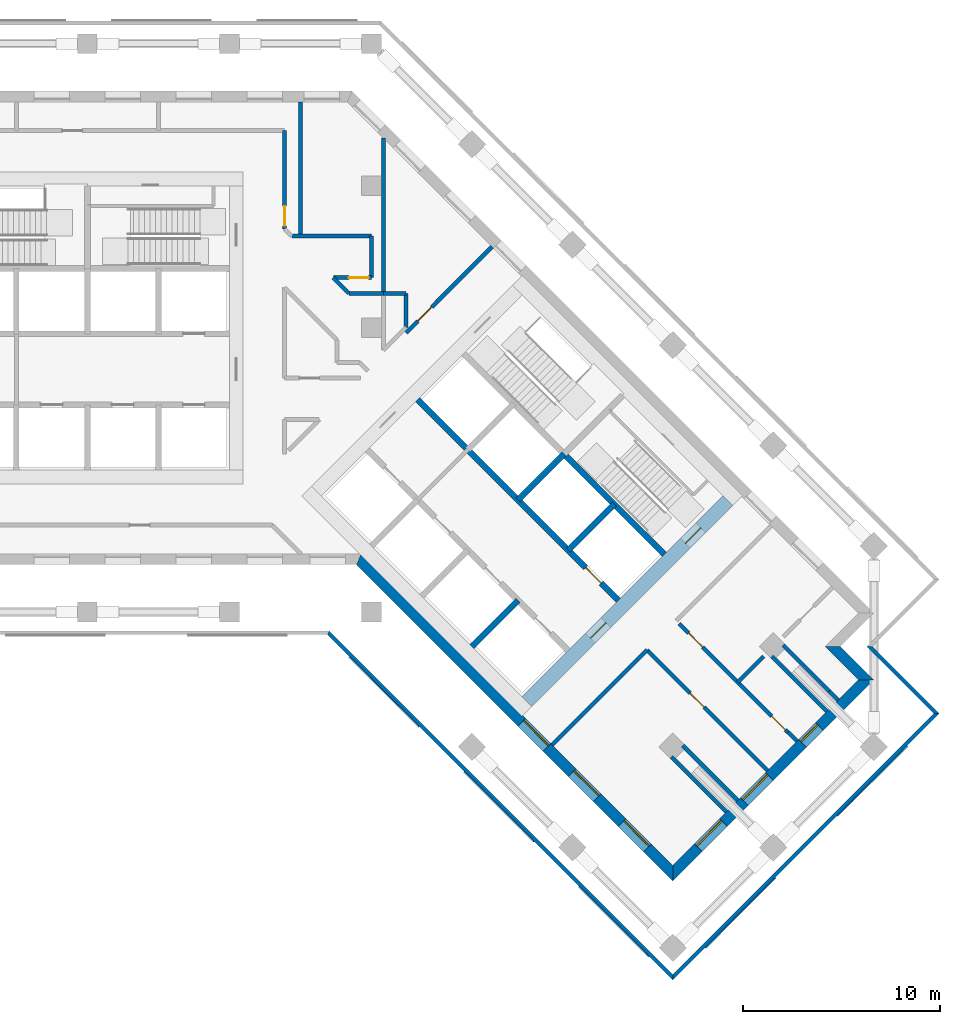
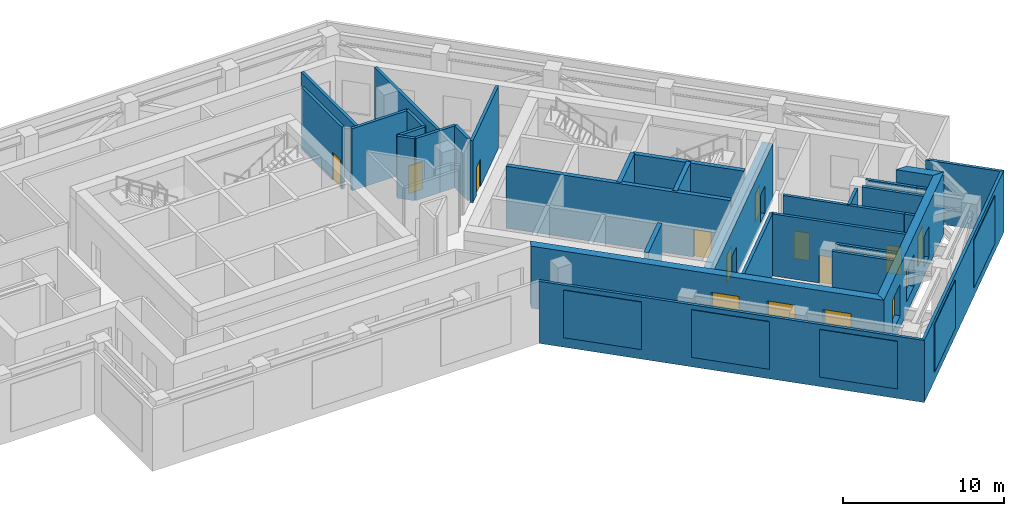
# One storey, part 6 of 9: 33 walls, 9 doors, 6 windows, 5 plates, 15 openings.
"""IFC4 building model written with IfcOpenShell, lengths in metres."""

from ifc_helpers import new_model, si_unit, direction, frame, frame_2d, origin, place, context, subcontext, project, spatial, polyline, rectangle, outline, extrude, material, layer, layer_set, type_object, element, fill, aggregate, save


model = new_model("IFC4")

# Units and contexts
model_context = context("Model", 3, precision=1e-05, world=origin(), true_north=direction((0.0, 1.0)))
body_context = subcontext(model_context, "Body", "Model", "MODEL_VIEW")
ifc_project = project(units=[si_unit("LENGTHUNIT", "METRE"), si_unit("AREAUNIT", "SQUARE_METRE"), si_unit("VOLUMEUNIT", "CUBIC_METRE"), si_unit("PLANEANGLEUNIT", "RADIAN"), si_unit("MASSUNIT", "GRAM", prefix="KILO")], contexts=[model_context])

# Plate
ifc_material_1 = material(Name="Aluminium louvre", Category="aluminium")
ifc_layer_1 = layer(ifc_material_1, 0.05)
ifc_layer_set_1 = layer_set([ifc_layer_1], Name="Belt louvre panel 5000x3600")
plate_type = type_object("IfcPlateType", Name="Belt louvre panel 5000x3600", PredefinedType="SHEET", material=ifc_layer_set_1)
site_placement = place(None, origin())
building_placement = place(site_placement, origin())
storey_placement = place(building_placement, frame((0.0, 0.0, 126.2)))
plate_1_placement = place(storey_placement, frame((78.0535, 40.9025, 0.75), z_axis=(-0.7071167811, -0.7070967812, 0.0), x_axis=(0.7070967812, -0.7071167811, 0.0)))
plate_1 = element("IfcPlate", 1, at=plate_1_placement, type_object=plate_type, Name="Belt louvre panel L34 75.1", PredefinedType="SHEET", context=body_context, shape_type="SweptSolid", body=[
    extrude(outline(polyline([(0.0, 0.0), (5.0, 0.0), (5.0, 3.6), (0.0, 3.6), (0.0, 0.0)])), origin(), (0.0, 0.0, -1.0), 0.05),
])

plate_2_placement = place(storey_placement, frame((83.872, 35.084, 0.75), z_axis=(-0.7071167811, -0.7070967812, 0.0), x_axis=(0.7070967812, -0.7071167811, 0.0)))
plate_2 = element("IfcPlate", 2, at=plate_2_placement, type_object=plate_type, Name="Belt louvre panel L34 76.2", PredefinedType="SHEET", context=body_context, shape_type="SweptSolid", body=[
    extrude(outline(polyline([(0.0, 0.0), (5.0, 0.0), (5.0, 3.6), (0.0, 3.6), (0.0, 0.0)])), origin(), (0.0, 0.0, -1.0), 0.05),
])

plate_3_placement = place(storey_placement, frame((89.6904, 29.2655, 0.75), z_axis=(-0.7071067812, -0.7071067812, 0.0), x_axis=(0.7071067812, -0.7071067812, 0.0)))
plate_3 = element("IfcPlate", 3, at=plate_3_placement, type_object=plate_type, Name="Belt louvre panel L34 77.3", PredefinedType="SHEET", context=body_context, shape_type="SweptSolid", body=[
    extrude(outline(polyline([(0.0, 0.0), (5.0, 0.0), (5.0, 3.6), (0.0, 3.6), (0.0, 0.0)])), origin(), (0.0, 0.0, -1.0), 0.05),
])

plate_4_placement = place(storey_placement, frame((96.1529, 26.1618, 0.75), z_axis=(0.7071067812, -0.7071067812, 0.0), x_axis=(0.7071067812, 0.7071067812, 0.0)))
plate_4 = element("IfcPlate", 4, at=plate_4_placement, type_object=plate_type, Name="Belt louvre panel L34 82.1", PredefinedType="SHEET", context=body_context, shape_type="SweptSolid", body=[
    extrude(outline(polyline([(0.0, 0.0), (5.0, 0.0), (5.0, 3.6), (0.0, 3.6), (0.0, 0.0)])), origin(), (0.0, 0.0, -1.0), 0.05),
])

plate_5_placement = place(storey_placement, frame((102.835, 32.844, 0.75), z_axis=(0.7070967812, -0.7071167811, 0.0), x_axis=(0.7071167811, 0.7070967812, 0.0)))
plate_5 = element("IfcPlate", 5, at=plate_5_placement, type_object=plate_type, Name="Belt louvre panel L34 83.2", PredefinedType="SHEET", context=body_context, shape_type="SweptSolid", body=[
    extrude(outline(polyline([(0.0, 0.0), (5.0, 0.0), (5.0, 3.6), (0.0, 3.6), (0.0, 0.0)])), origin(), (0.0, 0.0, -1.0), 0.05),
])

# Site, building, storey
site = spatial("IfcSite", under=ifc_project, at=site_placement, CompositionType="ELEMENT")
building = spatial("IfcBuilding", under=site, at=building_placement, Name="Windrow Commons", CompositionType="ELEMENT")
storey = spatial("IfcBuildingStorey", under=building, at=storey_placement, Name="L34", CompositionType="ELEMENT", Elevation=126.2)

# Wall
ifc_material_2 = material(Name="Concrete C40/50 precast screen panel", Category="concrete")
ifc_layer_2 = layer(ifc_material_2, 0.2)
ifc_layer_set_2 = layer_set([ifc_layer_2], Name="Belt screen wall 200")
wall_type_1 = type_object("IfcWallType", Name="Belt screen wall 200", PredefinedType="SOLIDWALL", material=ifc_layer_set_2)
wall_1_placement = place(storey_placement, frame((107.8378, 38.0589, 0.0), z_axis=(0.0, 0.0, 1.0), x_axis=(-0.7071067812, 0.7071067812, 0.0)))
element("IfcWall", 6, at=wall_1_placement, inside=storey, type_object=wall_type_1, Name="Belt screen wall L34 2", PredefinedType="SOLIDWALL", context=body_context, shape_type="SweptSolid", body=[
    extrude(outline(polyline([(-0.1, -0.1), (4.7, -0.1), (4.9, 0.1), (0.1, 0.1), (-0.1, -0.1)])), origin(), (0.0, 0.0, 1.0), 4.7),
])

wall_2_placement = place(storey_placement, frame((77.0181, 42.15, 0.0), z_axis=(0.0, 0.0, 1.0), x_axis=(0.7071067812, -0.7071067812, 0.0)))
wall_2 = element("IfcWall", 7, at=wall_2_placement, inside=storey, type_object=wall_type_1, Name="Belt screen wall L34 75", PredefinedType="SOLIDWALL", context=body_context, shape_type="SweptSolid", body=[
    extrude(outline(polyline([(0.0414, -0.1), (24.7857, -0.1), (24.5857, 0.1), (-0.0414, 0.1), (0.0414, -0.1)])), origin(), (0.0, 0.0, 1.0), 4.7),
])

aggregate(wall_2, [plate_1, plate_2, plate_3])

wall_3_placement = place(storey_placement, frame((94.4735, 24.6946, 0.0), z_axis=(0.0, 0.0, 1.0), x_axis=(0.7071067812, 0.7071067812, 0.0)))
wall_3 = element("IfcWall", 8, at=wall_3_placement, inside=storey, type_object=wall_type_1, Name="Belt screen wall L34 82", PredefinedType="SOLIDWALL", context=body_context, shape_type="SweptSolid", body=[
    extrude(outline(polyline([(-0.1, -0.1), (19.0, -0.1), (18.8, 0.1), (0.1, 0.1), (-0.1, -0.1)])), origin(), (0.0, 0.0, 1.0), 4.7),
])

aggregate(wall_3, [plate_4, plate_5])

ifc_material_3 = material(Name="Brick masonry, red clay brick", Category="masonry")
ifc_layer_3 = layer(ifc_material_3, 0.55)
ifc_layer_set_3 = layer_set([ifc_layer_3], Name="Brick facade wall 550")
wall_type_2 = type_object("IfcWallType", Name="Brick facade wall 550", PredefinedType="SOLIDWALL", material=ifc_layer_set_3)
wall_4_placement = place(storey_placement, frame((104.2669, 39.7559, 0.0), z_axis=(0.0, 0.0, 1.0), x_axis=(-0.7070859475, 0.7071276143, 0.0)))
element("IfcWall", 9, at=wall_4_placement, inside=storey, type_object=wall_type_2, Name="Brick facade wall L34 1", PredefinedType="SOLIDWALL", context=body_context, shape_type="SweptSolid", body=[
    extrude(outline(polyline([(-0.275, -0.275), (2.125, -0.275), (2.675, 0.275), (0.275, 0.275), (-0.275, -0.275)])), origin(), (0.0, 0.0, 1.0), 4.7),
])

# Wall, openings, windows
wall_5_placement = place(storey_placement, frame((78.561, 45.875, 0.0), z_axis=(0.0, 0.0, 1.0), x_axis=(0.7071067812, -0.7071067812, 0.0)))
wall_5 = element("IfcWall", 10, at=wall_5_placement, inside=storey, type_object=wall_type_2, Name="Brick facade wall L34 13", PredefinedType="SOLIDWALL", context=body_context, shape_type="SweptSolid", body=[
    extrude(outline(polyline([(0.1139, -0.275), (22.7787, -0.275), (22.2287, 0.275), (-0.1139, 0.275), (0.1139, -0.275)])), origin(), (0.0, 0.0, 1.0), 4.7),
])
opening_1_placement = place(wall_5_placement, frame((11.6787, 0.0, 0.9)))
opening_1 = element("IfcOpeningElement", 11, at=opening_1_placement, cuts=wall_5, Name="Opening LV1", PredefinedType="OPENING", context=body_context, shape_type="SweptSolid", body=[
    extrude(rectangle(XDim=1.8, YDim=2.4, at=frame_2d((0.9, 1.2))), frame((0.0, 0.285, 0.0), z_axis=(0.0, -1.0, 0.0), x_axis=(1.0, 0.0, 0.0)), (0.0, 0.0, 1.0), 0.57),
])
opening_2_placement = place(wall_5_placement, frame((15.2787, 0.0, 0.9)))
opening_2 = element("IfcOpeningElement", 12, at=opening_2_placement, cuts=wall_5, Name="Opening LV1", PredefinedType="OPENING", context=body_context, shape_type="SweptSolid", body=[
    extrude(rectangle(XDim=1.8, YDim=2.4, at=frame_2d((0.9, 1.2))), frame((0.0, 0.285, 0.0), z_axis=(0.0, -1.0, 0.0), x_axis=(1.0, 0.0, 0.0)), (0.0, 0.0, 1.0), 0.57),
])
opening_3_placement = place(wall_5_placement, frame((18.8787, 0.0, 0.9)))
opening_3 = element("IfcOpeningElement", 13, at=opening_3_placement, cuts=wall_5, Name="Opening LV1", PredefinedType="OPENING", context=body_context, shape_type="SweptSolid", body=[
    extrude(rectangle(XDim=1.8, YDim=2.4, at=frame_2d((0.9, 1.2))), frame((0.0, 0.285, 0.0), z_axis=(0.0, -1.0, 0.0), x_axis=(1.0, 0.0, 0.0)), (0.0, 0.0, 1.0), 0.57),
])
ifc_material_4 = material(Name="Aluminium 6063-T6 anodised louvre", Category="aluminium")
window_type_1 = type_object("IfcWindowType", Name="Plant louvre 1800x2400", PartitioningType="SINGLE_PANEL", PredefinedType="WINDOW", material=ifc_material_4)
window_1_placement = place(opening_1_placement, origin())
window_1 = element("IfcWindow", 14, at=window_1_placement, inside=storey, type_object=window_type_1, Name="Louvre L34 13.1", OverallHeight=2.4, OverallWidth=1.8, PartitioningType="SINGLE_PANEL", PredefinedType="WINDOW", context=body_context, shape_type="SweptSolid", body=[
    extrude(rectangle(XDim=1.8, YDim=2.4, at=frame_2d((0.9, 1.2))), frame((0.0, 0.155, 0.0), z_axis=(0.0, -1.0, 0.0), x_axis=(1.0, 0.0, 0.0)), (0.0, 0.0, 1.0), 0.06),
])
fill(opening_1, window_1)
window_2_placement = place(opening_2_placement, origin())
window_2 = element("IfcWindow", 15, at=window_2_placement, inside=storey, type_object=window_type_1, Name="Louvre L34 13.2", OverallHeight=2.4, OverallWidth=1.8, PartitioningType="SINGLE_PANEL", PredefinedType="WINDOW", context=body_context, shape_type="SweptSolid", body=[
    extrude(rectangle(XDim=1.8, YDim=2.4, at=frame_2d((0.9, 1.2))), frame((0.0, 0.155, 0.0), z_axis=(0.0, -1.0, 0.0), x_axis=(1.0, 0.0, 0.0)), (0.0, 0.0, 1.0), 0.06),
])
fill(opening_2, window_2)
window_3_placement = place(opening_3_placement, origin())
window_3 = element("IfcWindow", 16, at=window_3_placement, inside=storey, type_object=window_type_1, Name="Louvre L34 13.3", OverallHeight=2.4, OverallWidth=1.8, PartitioningType="SINGLE_PANEL", PredefinedType="WINDOW", context=body_context, shape_type="SweptSolid", body=[
    extrude(rectangle(XDim=1.8, YDim=2.4, at=frame_2d((0.9, 1.2))), frame((0.0, 0.155, 0.0), z_axis=(0.0, -1.0, 0.0), x_axis=(1.0, 0.0, 0.0)), (0.0, 0.0, 1.0), 0.06),
])
fill(opening_3, window_3)

wall_6_placement = place(storey_placement, frame((94.4735, 29.9625, 0.0), z_axis=(0.0, 0.0, 1.0), x_axis=(0.7071067812, 0.7071067812, 0.0)))
wall_6 = element("IfcWall", 17, at=wall_6_placement, inside=storey, type_object=wall_type_2, Name="Brick facade wall L34 14", PredefinedType="SOLIDWALL", context=body_context, shape_type="SweptSolid", body=[
    extrude(outline(polyline([(-0.275, -0.275), (14.1249, -0.275), (13.575, 0.275), (0.275, 0.275), (-0.275, -0.275)])), origin(), (0.0, 0.0, 1.0), 4.7),
])
opening_4_placement = place(wall_6_placement, frame((1.825, 0.0, 0.9)))
opening_4 = element("IfcOpeningElement", 18, at=opening_4_placement, cuts=wall_6, Name="Opening LV1", PredefinedType="OPENING", context=body_context, shape_type="SweptSolid", body=[
    extrude(rectangle(XDim=1.8, YDim=2.4, at=frame_2d((0.9, 1.2))), frame((0.0, 0.285, 0.0), z_axis=(0.0, -1.0, 0.0), x_axis=(1.0, 0.0, 0.0)), (0.0, 0.0, 1.0), 0.57),
])
opening_5_placement = place(wall_6_placement, frame((5.125, 0.0, 0.9)))
opening_5 = element("IfcOpeningElement", 19, at=opening_5_placement, cuts=wall_6, Name="Opening LV1", PredefinedType="OPENING", context=body_context, shape_type="SweptSolid", body=[
    extrude(rectangle(XDim=1.8, YDim=2.4, at=frame_2d((0.9, 1.2))), frame((0.0, 0.285, 0.0), z_axis=(0.0, -1.0, 0.0), x_axis=(1.0, 0.0, 0.0)), (0.0, 0.0, 1.0), 0.57),
])
opening_6_placement = place(wall_6_placement, frame((9.3016, 0.0, 0.7)))
opening_6 = element("IfcOpeningElement", 20, at=opening_6_placement, cuts=wall_6, Name="Opening W7C", PredefinedType="OPENING", context=body_context, shape_type="SweptSolid", body=[
    extrude(rectangle(XDim=1.2, YDim=2.3, at=frame_2d((0.6, 1.15))), frame((0.0, 0.285, 0.0), z_axis=(0.0, -1.0, 0.0), x_axis=(1.0, 0.0, 0.0)), (0.0, 0.0, 1.0), 0.57),
])
window_4_placement = place(opening_4_placement, origin())
window_4 = element("IfcWindow", 21, at=window_4_placement, inside=storey, type_object=window_type_1, Name="Louvre L34 14.1", OverallHeight=2.4, OverallWidth=1.8, PartitioningType="SINGLE_PANEL", PredefinedType="WINDOW", context=body_context, shape_type="SweptSolid", body=[
    extrude(rectangle(XDim=1.8, YDim=2.4, at=frame_2d((0.9, 1.2))), frame((0.0, 0.155, 0.0), z_axis=(0.0, -1.0, 0.0), x_axis=(1.0, 0.0, 0.0)), (0.0, 0.0, 1.0), 0.06),
])
fill(opening_4, window_4)
window_5_placement = place(opening_5_placement, origin())
window_5 = element("IfcWindow", 22, at=window_5_placement, inside=storey, type_object=window_type_1, Name="Louvre L34 14.2", OverallHeight=2.4, OverallWidth=1.8, PartitioningType="SINGLE_PANEL", PredefinedType="WINDOW", context=body_context, shape_type="SweptSolid", body=[
    extrude(rectangle(XDim=1.8, YDim=2.4, at=frame_2d((0.9, 1.2))), frame((0.0, 0.155, 0.0), z_axis=(0.0, -1.0, 0.0), x_axis=(1.0, 0.0, 0.0)), (0.0, 0.0, 1.0), 0.06),
])
fill(opening_5, window_5)
ifc_material_5 = material(Name="Clear float glass in anodised aluminium frame", Category="aluminium")
window_type_2 = type_object("IfcWindowType", Name="Window W7 notch 1200x2300", PartitioningType="SINGLE_PANEL", PredefinedType="WINDOW", material=ifc_material_5)
window_6_placement = place(opening_6_placement, origin())
window_6 = element("IfcWindow", 23, at=window_6_placement, inside=storey, type_object=window_type_2, Name="Louvre L34 14.3A", OverallHeight=2.3, OverallWidth=1.2, PartitioningType="SINGLE_PANEL", PredefinedType="WINDOW", context=body_context, shape_type="SweptSolid", body=[
    extrude(rectangle(XDim=1.2, YDim=2.3, at=frame_2d((0.6, 1.15))), frame((0.0, 0.155, 0.0), z_axis=(0.0, -1.0, 0.0), x_axis=(1.0, 0.0, 0.0)), (0.0, 0.0, 1.0), 0.06),
])
fill(opening_6, window_6)

# Wall, opening, door
ifc_material_6 = material(Name="Blockwork partition", Category="masonry")
ifc_layer_4 = layer(ifc_material_6, 0.2)
ifc_layer_set_4 = layer_set([ifc_layer_4], Name="IW-CORRIDOR-200")
wall_type_3 = type_object("IfcWallType", Name="IW-CORRIDOR-200", PredefinedType="PARTITIONING", material=ifc_layer_set_4)
wall_7_placement = place(storey_placement, frame((93.1626, 41.2726, 0.0), z_axis=(0.0, 0.0, 1.0), x_axis=(0.7071010004, -0.7071125619, 0.0)))
wall_7 = element("IfcWall", 24, at=wall_7_placement, inside=storey, type_object=wall_type_3, Name="W-L34-W003", PredefinedType="PARTITIONING", context=body_context, shape_type="SweptSolid", body=[
    extrude(rectangle(XDim=8.6494, YDim=0.2, at=frame_2d((4.3247, 0.0))), origin(), (0.0, 0.0, 1.0), 4.7),
])
opening_7_placement = place(wall_7_placement, frame((3.0896, 0.0, 0.0)))
opening_7 = element("IfcOpeningElement", 25, at=opening_7_placement, cuts=wall_7, Name="Opening D410F", PredefinedType="OPENING", context=body_context, shape_type="SweptSolid", body=[
    extrude(rectangle(XDim=1.0, YDim=2.1, at=frame_2d((0.5, 1.05))), frame((0.0, 0.11, 0.0), z_axis=(0.0, -1.0, 0.0), x_axis=(1.0, 0.0, 0.0)), (0.0, 0.0, 1.0), 0.22),
])
ifc_material_7 = material(Name="Timber door leaf", Category="wood")
door_type_1 = type_object("IfcDoorType", Name="DT-SERVICE-1000", OperationType="SINGLE_SWING_LEFT", PredefinedType="DOOR", material=ifc_material_7)
door_1_placement = place(opening_7_placement, origin())
door_1 = element("IfcDoor", 26, at=door_1_placement, inside=storey, type_object=door_type_1, Name="D-L34-D015", OperationType="SINGLE_SWING_LEFT", OverallHeight=2.1, OverallWidth=1.0, PredefinedType="DOOR", context=body_context, shape_type="SweptSolid", body=[
    extrude(rectangle(XDim=1.0, YDim=2.1, at=frame_2d((0.5, 1.05))), frame((0.0, 0.025, 0.0), z_axis=(0.0, -1.0, 0.0), x_axis=(1.0, 0.0, 0.0)), (0.0, 0.0, 1.0), 0.05),
])
fill(opening_7, door_1)

# Wall, openings, doors
wall_8_placement = place(storey_placement, frame((94.7885, 42.6165, 0.0), z_axis=(0.0, 0.0, 1.0), x_axis=(0.7071067812, -0.7071067812, 0.0)))
wall_8 = element("IfcWall", 27, at=wall_8_placement, inside=storey, type_object=wall_type_3, Name="W-L34-W005", PredefinedType="PARTITIONING", context=body_context, shape_type="SweptSolid", body=[
    extrude(rectangle(XDim=7.8008, YDim=0.2, at=frame_2d((3.9004, 0.0))), origin(), (0.0, 0.0, 1.0), 4.7),
])
opening_8_placement = place(wall_8_placement, frame((0.6841, 0.0, 0.0)))
opening_8 = element("IfcOpeningElement", 28, at=opening_8_placement, cuts=wall_8, Name="Opening D410F", PredefinedType="OPENING", context=body_context, shape_type="SweptSolid", body=[
    extrude(rectangle(XDim=1.0, YDim=2.1, at=frame_2d((0.5, 1.05))), frame((0.0, 0.11, 0.0), z_axis=(0.0, -1.0, 0.0), x_axis=(1.0, 0.0, 0.0)), (0.0, 0.0, 1.0), 0.22),
])
opening_9_placement = place(wall_8_placement, frame((6.6246, 0.0, 0.0)))
opening_9 = element("IfcOpeningElement", 29, at=opening_9_placement, cuts=wall_8, Name="Opening D410F", PredefinedType="OPENING", context=body_context, shape_type="SweptSolid", body=[
    extrude(rectangle(XDim=1.0, YDim=2.1, at=frame_2d((0.5, 1.05))), frame((0.0, 0.11, 0.0), z_axis=(0.0, -1.0, 0.0), x_axis=(1.0, 0.0, 0.0)), (0.0, 0.0, 1.0), 0.22),
])
door_2_placement = place(opening_8_placement, origin())
door_2 = element("IfcDoor", 30, at=door_2_placement, inside=storey, type_object=door_type_1, Name="D-L34-D013", OperationType="SINGLE_SWING_RIGHT", OverallHeight=2.1, OverallWidth=1.0, PredefinedType="DOOR", context=body_context, shape_type="SweptSolid", body=[
    extrude(rectangle(XDim=1.0, YDim=2.1, at=frame_2d((0.5, 1.05))), frame((0.0, 0.025, 0.0), z_axis=(0.0, -1.0, 0.0), x_axis=(1.0, 0.0, 0.0)), (0.0, 0.0, 1.0), 0.05),
])
fill(opening_8, door_2)
door_3_placement = place(opening_9_placement, origin())
door_3 = element("IfcDoor", 31, at=door_3_placement, inside=storey, type_object=door_type_1, Name="D-L34-D014", OperationType="SINGLE_SWING_LEFT", OverallHeight=2.1, OverallWidth=1.0, PredefinedType="DOOR", context=body_context, shape_type="SweptSolid", body=[
    extrude(rectangle(XDim=1.0, YDim=2.1, at=frame_2d((0.5, 1.05))), frame((0.0, 0.025, 0.0), z_axis=(0.0, -1.0, 0.0), x_axis=(1.0, 0.0, 0.0)), (0.0, 0.0, 1.0), 0.05),
])
fill(opening_9, door_3)

# Wall
wall_9_placement = place(storey_placement, frame((88.3572, 36.4677, 0.0), z_axis=(0.0, 0.0, 1.0), x_axis=(0.7069523276, 0.707261201, 0.0)))
element("IfcWall", 32, at=wall_9_placement, inside=storey, type_object=wall_type_3, Name="W-L34-W010", PredefinedType="PARTITIONING", context=body_context, shape_type="SweptSolid", body=[
    extrude(rectangle(XDim=6.7989, YDim=0.2, at=frame_2d((3.3994, 0.0))), origin(), (0.0, 0.0, 1.0), 4.7),
])

# Wall, opening, door
wall_10_placement = place(storey_placement, frame((80.9487, 57.3493, 0.0), z_axis=(0.0, 0.0, 1.0), x_axis=(0.706944768, 0.7072687573, 0.0)))
wall_10 = element("IfcWall", 33, at=wall_10_placement, inside=storey, type_object=wall_type_3, Name="W-L34-W011", PredefinedType="PARTITIONING", context=body_context, shape_type="SweptSolid", body=[
    extrude(rectangle(XDim=6.173, YDim=0.2, at=frame_2d((3.0865, 0.0))), origin(), (0.0, 0.0, 1.0), 4.7),
])
opening_10_placement = place(wall_10_placement, frame((0.8379, 0.0, 0.0)))
opening_10 = element("IfcOpeningElement", 34, at=opening_10_placement, cuts=wall_10, Name="Opening D410F", PredefinedType="OPENING", context=body_context, shape_type="SweptSolid", body=[
    extrude(rectangle(XDim=1.0, YDim=2.1, at=frame_2d((0.5, 1.05))), frame((0.0, 0.11, 0.0), z_axis=(0.0, -1.0, 0.0), x_axis=(1.0, 0.0, 0.0)), (0.0, 0.0, 1.0), 0.22),
])
door_4_placement = place(opening_10_placement, origin())
door_4 = element("IfcDoor", 35, at=door_4_placement, inside=storey, type_object=door_type_1, Name="D-L34-D012", OperationType="SINGLE_SWING_RIGHT", OverallHeight=2.1, OverallWidth=1.0, PredefinedType="DOOR", context=body_context, shape_type="SweptSolid", body=[
    extrude(rectangle(XDim=1.0, YDim=2.1, at=frame_2d((0.5, 1.05))), frame((0.0, 0.025, 0.0), z_axis=(0.0, -1.0, 0.0), x_axis=(1.0, 0.0, 0.0)), (0.0, 0.0, 1.0), 0.05),
])
fill(opening_10, door_4)

wall_11_placement = place(storey_placement, frame((74.8, 62.612, 0.0), z_axis=(0.0, 0.0, 1.0), x_axis=(0.0, 1.0, 0.0)))
wall_11 = element("IfcWall", 36, at=wall_11_placement, inside=storey, type_object=wall_type_3, Name="W-L34-W015", PredefinedType="PARTITIONING", context=body_context, shape_type="SweptSolid", body=[
    extrude(rectangle(XDim=4.986, YDim=0.2, at=frame_2d((2.493, 0.0))), origin(), (0.0, 0.0, 1.0), 4.7),
])
opening_11_placement = place(wall_11_placement, frame((0.1528, 0.0, 0.0)))
opening_11 = element("IfcOpeningElement", 37, at=opening_11_placement, cuts=wall_11, Name="Opening D410F", PredefinedType="OPENING", context=body_context, shape_type="SweptSolid", body=[
    extrude(rectangle(XDim=1.0, YDim=2.1, at=frame_2d((0.5, 1.05))), frame((0.0, 0.11, 0.0), z_axis=(0.0, -1.0, 0.0), x_axis=(1.0, 0.0, 0.0)), (0.0, 0.0, 1.0), 0.22),
])
door_5_placement = place(opening_11_placement, origin())
door_5 = element("IfcDoor", 38, at=door_5_placement, inside=storey, type_object=door_type_1, Name="D-L34-D010", OperationType="SINGLE_SWING_LEFT", OverallHeight=2.1, OverallWidth=1.0, PredefinedType="DOOR", context=body_context, shape_type="SweptSolid", body=[
    extrude(rectangle(XDim=1.0, YDim=2.1, at=frame_2d((0.5, 1.05))), frame((0.0, 0.025, 0.0), z_axis=(0.0, -1.0, 0.0), x_axis=(1.0, 0.0, 0.0)), (0.0, 0.0, 1.0), 0.05),
])
fill(opening_11, door_5)

# Walls
wall_12_placement = place(storey_placement, frame((75.162, 62.25, 0.0), z_axis=(0.0, 0.0, 1.0), x_axis=(1.0, 0.0, 0.0)))
element("IfcWall", 39, at=wall_12_placement, inside=storey, type_object=wall_type_3, Name="W-L34-W018", PredefinedType="PARTITIONING", context=body_context, shape_type="SweptSolid", body=[
    extrude(rectangle(XDim=4.038, YDim=0.2, at=frame_2d((2.019, 0.0))), origin(), (0.0, 0.0, 1.0), 4.7),
])
wall_13_placement = place(storey_placement, frame((79.2, 60.152, 0.0), z_axis=(0.0, 0.0, 1.0), x_axis=(0.0, 1.0, 0.0)))
element("IfcWall", 40, at=wall_13_placement, inside=storey, type_object=wall_type_3, Name="W-L34-W033", PredefinedType="PARTITIONING", context=body_context, shape_type="SweptSolid", body=[
    extrude(rectangle(XDim=2.098, YDim=0.2, at=frame_2d((1.049, 0.0))), origin(), (0.0, 0.0, 1.0), 4.7),
])

# Wall, opening, door
wall_14_placement = place(storey_placement, frame((77.264, 60.15, 0.0), z_axis=(0.0, 0.0, 1.0), x_axis=(1.0, 0.0, 0.0)))
wall_14 = element("IfcWall", 41, at=wall_14_placement, inside=storey, type_object=wall_type_3, Name="W-L34-W039", PredefinedType="PARTITIONING", context=body_context, shape_type="SweptSolid", body=[
    extrude(rectangle(XDim=1.934, YDim=0.2, at=frame_2d((0.967, 0.0))), origin(), (0.0, 0.0, 1.0), 4.7),
])
opening_12_placement = place(wall_14_placement, frame((0.7945, 0.0, 0.0)))
opening_12 = element("IfcOpeningElement", 42, at=opening_12_placement, cuts=wall_14, Name="Opening D410F", PredefinedType="OPENING", context=body_context, shape_type="SweptSolid", body=[
    extrude(rectangle(XDim=1.0, YDim=2.1, at=frame_2d((0.5, 1.05))), frame((0.0, 0.11, 0.0), z_axis=(0.0, -1.0, 0.0), x_axis=(1.0, 0.0, 0.0)), (0.0, 0.0, 1.0), 0.22),
])
door_6_placement = place(opening_12_placement, origin())
door_6 = element("IfcDoor", 43, at=door_6_placement, inside=storey, type_object=door_type_1, Name="D-L34-D011", OperationType="SINGLE_SWING_LEFT", OverallHeight=2.1, OverallWidth=1.0, PredefinedType="DOOR", context=body_context, shape_type="SweptSolid", body=[
    extrude(rectangle(XDim=1.0, YDim=2.1, at=frame_2d((0.5, 1.05))), frame((0.0, 0.025, 0.0), z_axis=(0.0, -1.0, 0.0), x_axis=(1.0, 0.0, 0.0)), (0.0, 0.0, 1.0), 0.05),
])
fill(opening_12, door_6)

# Walls
wall_15_placement = place(storey_placement, frame((78.062, 59.35, 0.0), z_axis=(0.0, 0.0, 1.0), x_axis=(1.0, 0.0, 0.0)))
element("IfcWall", 44, at=wall_15_placement, inside=storey, type_object=wall_type_3, Name="W-L34-W043", PredefinedType="PARTITIONING", context=body_context, shape_type="SweptSolid", body=[
    extrude(rectangle(XDim=1.738, YDim=0.2, at=frame_2d((0.869, 0.0))), origin(), (0.0, 0.0, 1.0), 4.7),
])
wall_16_placement = place(storey_placement, frame((77.2605, 60.1445, 0.0), z_axis=(0.0, 0.0, 1.0), x_axis=(0.7071067812, -0.7071067812, 0.0)))
element("IfcWall", 45, at=wall_16_placement, inside=storey, type_object=wall_type_3, Name="W-L34-W056", PredefinedType="PARTITIONING", context=body_context, shape_type="SweptSolid", body=[
    extrude(rectangle(XDim=1.1285, YDim=0.2, at=frame_2d((0.5643, 0.0))), origin(), (0.0, 0.0, 1.0), 4.7),
])
wall_17_placement = place(storey_placement, frame((100.3112, 37.1071, 0.0), z_axis=(0.0, 0.0, 1.0), x_axis=(0.7053327556, -0.7088763671, 0.0)))
element("IfcWall", 46, at=wall_17_placement, inside=storey, type_object=wall_type_3, Name="W-L34-W059", PredefinedType="PARTITIONING", context=body_context, shape_type="SweptSolid", body=[
    extrude(rectangle(XDim=0.6491, YDim=0.2, at=frame_2d((0.3246, 0.0))), origin(), (0.0, 0.0, 1.0), 4.7),
])
ifc_material_8 = material(Name="Blockwork partition", Category="masonry")
ifc_layer_5 = layer(ifc_material_8, 0.2)
ifc_layer_set_5 = layer_set([ifc_layer_5], Name="IW-PARTY-200")
wall_type_4 = type_object("IfcWallType", Name="IW-PARTY-200", PredefinedType="PARTITIONING", material=ifc_layer_set_5)
wall_18_placement = place(storey_placement, frame((79.8, 59.35, 0.0), z_axis=(0.0, 0.0, 1.0), x_axis=(0.0, 1.0, 0.0)))
element("IfcWall", 47, at=wall_18_placement, inside=storey, type_object=wall_type_4, Name="W-L34-W004", PredefinedType="PARTITIONING", context=body_context, shape_type="SweptSolid", body=[
    extrude(rectangle(XDim=7.8781, YDim=0.2, at=frame_2d((3.939, 0.0))), origin(), (0.0, 0.0, 1.0), 4.7),
])
wall_19_placement = place(storey_placement, frame((75.6, 62.25, 0.0), z_axis=(0.0, 0.0, 1.0), x_axis=(0.0, 1.0, 0.0)))
element("IfcWall", 48, at=wall_19_placement, inside=storey, type_object=wall_type_4, Name="W-L34-W008", PredefinedType="PARTITIONING", context=body_context, shape_type="SweptSolid", body=[
    extrude(rectangle(XDim=6.8, YDim=0.2, at=frame_2d((3.4, 0.0))), origin(), (0.0, 0.0, 1.0), 4.7),
])
wall_20_placement = place(storey_placement, frame((99.4974, 40.9514, 0.0), z_axis=(0.0, 0.0, 1.0), x_axis=(0.7066881835, -0.7075251312, 0.0)))
element("IfcWall", 49, at=wall_20_placement, inside=storey, type_object=wall_type_4, Name="W-L34-W019", PredefinedType="PARTITIONING", context=body_context, shape_type="SweptSolid", body=[
    extrude(rectangle(XDim=3.9429, YDim=0.2, at=frame_2d((1.9714, 0.0))), origin(), (0.0, 0.0, 1.0), 4.7),
])
wall_21_placement = place(storey_placement, frame((94.4046, 35.8586, 0.0), z_axis=(0.0, 0.0, 1.0), x_axis=(0.7071067812, -0.7071067812, 0.0)))
element("IfcWall", 50, at=wall_21_placement, inside=storey, type_object=wall_type_4, Name="W-L34-W020", PredefinedType="PARTITIONING", context=body_context, shape_type="SweptSolid", body=[
    extrude(rectangle(XDim=3.9428, YDim=0.2, at=frame_2d((1.9714, 0.0))), origin(), (0.0, 0.0, 1.0), 4.7),
])
wall_22_placement = place(storey_placement, frame((94.9774, 36.4314, 0.0), z_axis=(0.0, 0.0, 1.0), x_axis=(0.7070941, -0.7071194621, 0.0)))
element("IfcWall", 51, at=wall_22_placement, inside=storey, type_object=wall_type_4, Name="W-L34-W021", PredefinedType="PARTITIONING", context=body_context, shape_type="SweptSolid", body=[
    extrude(rectangle(XDim=3.9429, YDim=0.2, at=frame_2d((1.9714, 0.0))), origin(), (0.0, 0.0, 1.0), 4.7),
])
wall_23_placement = place(storey_placement, frame((100.0675, 41.5235, 0.0), z_axis=(0.0, 0.0, 1.0), x_axis=(0.7071067812, -0.7071067812, 0.0)))
element("IfcWall", 52, at=wall_23_placement, inside=storey, type_object=wall_type_4, Name="W-L34-W029", PredefinedType="PARTITIONING", context=body_context, shape_type="SweptSolid", body=[
    extrude(rectangle(XDim=3.2951, YDim=0.2, at=frame_2d((1.6476, 0.0))), origin(), (0.0, 0.0, 1.0), 4.7),
])
wall_24_placement = place(storey_placement, frame((97.761, 39.651, 0.0), z_axis=(0.0, 0.0, 1.0), x_axis=(0.7071067812, 0.7071067812, 0.0)))
element("IfcWall", 53, at=wall_24_placement, inside=storey, type_object=wall_type_4, Name="W-L34-W040", PredefinedType="PARTITIONING", context=body_context, shape_type="SweptSolid", body=[
    extrude(rectangle(XDim=1.8441, YDim=0.2, at=frame_2d((0.9221, 0.0))), origin(), (0.0, 0.0, 1.0), 4.7),
])
wall_25_placement = place(storey_placement, frame((80.95, 57.628, 0.0), z_axis=(0.0, 0.0, 1.0), x_axis=(0.0, 1.0, 0.0)))
element("IfcWall", 54, at=wall_25_placement, inside=storey, type_object=wall_type_4, Name="W-L34-W044", PredefinedType="PARTITIONING", context=body_context, shape_type="SweptSolid", body=[
    extrude(rectangle(XDim=1.72, YDim=0.2, at=frame_2d((0.86, 0.0))), origin(), (0.0, 0.0, 1.0), 4.7),
])
wall_26_placement = place(storey_placement, frame((79.8, 59.35, 0.0), z_axis=(0.0, 0.0, 1.0), x_axis=(1.0, 0.0, 0.0)))
element("IfcWall", 55, at=wall_26_placement, inside=storey, type_object=wall_type_4, Name="W-L34-W053", PredefinedType="PARTITIONING", context=body_context, shape_type="SweptSolid", body=[
    extrude(rectangle(XDim=1.148, YDim=0.2, at=frame_2d((0.574, 0.0))), origin(), (0.0, 0.0, 1.0), 4.7),
])
wall_27_placement = place(storey_placement, frame((102.3971, 39.1931, 0.0), z_axis=(0.0, 0.0, 1.0), x_axis=(0.7053331426, -0.7088759821, 0.0)))
element("IfcWall", 56, at=wall_27_placement, inside=storey, type_object=wall_type_4, Name="W-L34-W058", PredefinedType="PARTITIONING", context=body_context, shape_type="SweptSolid", body=[
    extrude(rectangle(XDim=0.6492, YDim=0.2, at=frame_2d((0.3246, 0.0))), origin(), (0.0, 0.0, 1.0), 4.7),
])

# Wall, openings, doors
ifc_material_9 = material(Name="Concrete C50/60", Category="concrete")
ifc_layer_6 = layer(ifc_material_9, 0.7)
ifc_layer_set_6 = layer_set([ifc_layer_6], Name="RC CORE WALL 700 C50/60")
wall_type_5 = type_object("IfcWallType", Name="RC CORE WALL 700 C50/60", PredefinedType="SHEAR", material=ifc_layer_set_6)
wall_28_placement = place(storey_placement, frame((87.0842, 38.6599, -0.3), z_axis=(0.0, 0.0, 1.0), x_axis=(0.7071067812, 0.7071067812, 0.0)))
wall_28 = element("IfcWall", 57, at=wall_28_placement, inside=storey, type_object=wall_type_5, Name="Core B wall outer-E", PredefinedType="SHEAR", context=body_context, shape_type="SweptSolid", body=[
    extrude(rectangle(XDim=14.4001, YDim=0.7, at=frame_2d((7.2001, 0.0))), origin(), (0.0, 0.0, 1.0), 4.3),
])
opening_13_placement = place(wall_28_placement, frame((4.55, 0.0, 0.3)))
opening_13 = element("IfcOpeningElement", 58, at=opening_13_placement, cuts=wall_28, Name="Opening D6", PredefinedType="OPENING", context=body_context, shape_type="SweptSolid", body=[
    extrude(rectangle(XDim=1.1, YDim=2.1, at=frame_2d((0.55, 1.05))), frame((0.0, 0.36, 0.0), z_axis=(0.0, -1.0, 0.0), x_axis=(1.0, 0.0, 0.0)), (0.0, 0.0, 1.0), 0.72),
])
opening_14_placement = place(wall_28_placement, frame((11.35, 0.0, 0.3)))
opening_14 = element("IfcOpeningElement", 59, at=opening_14_placement, cuts=wall_28, Name="Opening D7", PredefinedType="OPENING", context=body_context, shape_type="SweptSolid", body=[
    extrude(rectangle(XDim=1.1, YDim=2.1, at=frame_2d((0.55, 1.05))), frame((0.0, 0.36, 0.0), z_axis=(0.0, -1.0, 0.0), x_axis=(1.0, 0.0, 0.0)), (0.0, 0.0, 1.0), 0.72),
])
ifc_material_10 = material(Name="Steel fire door leaf", Category="steel")
door_type_2 = type_object("IfcDoorType", Name="Core lobby door 1100", OperationType="SINGLE_SWING_LEFT", PredefinedType="DOOR", material=ifc_material_10)
door_7_placement = place(opening_13_placement, origin())
door_7 = element("IfcDoor", 60, at=door_7_placement, inside=storey, type_object=door_type_2, Name="Lift lobby door", OperationType="DOUBLE_DOOR_SINGLE_SWING", OverallHeight=2.1, OverallWidth=1.1, PredefinedType="DOOR", context=body_context, shape_type="SweptSolid", body=[
    extrude(rectangle(XDim=1.1, YDim=2.1, at=frame_2d((0.55, 1.05))), frame((0.0, 0.025, 0.0), z_axis=(0.0, -1.0, 0.0), x_axis=(1.0, 0.0, 0.0)), (0.0, 0.0, 1.0), 0.05),
])
fill(opening_13, door_7)
ifc_material_11 = material(Name="Steel fire door leaf", Category="steel")
door_type_3 = type_object("IfcDoorType", Name="Stair door 1100", OperationType="SINGLE_SWING_LEFT", PredefinedType="DOOR", material=ifc_material_11)
door_8_placement = place(opening_14_placement, origin())
door_8 = element("IfcDoor", 61, at=door_8_placement, inside=storey, type_object=door_type_3, Name="Stair door", OperationType="SINGLE_SWING_RIGHT", OverallHeight=2.1, OverallWidth=1.1, PredefinedType="DOOR", context=body_context, shape_type="SweptSolid", body=[
    extrude(rectangle(XDim=1.1, YDim=2.1, at=frame_2d((0.55, 1.05))), frame((0.0, 0.025, 0.0), z_axis=(0.0, -1.0, 0.0), x_axis=(1.0, 0.0, 0.0)), (0.0, 0.0, 1.0), 0.05),
])
fill(opening_14, door_8)

# Walls
ifc_material_12 = material(Name="Concrete C50/60", Category="concrete")
ifc_layer_7 = layer(ifc_material_12, 0.3)
ifc_layer_set_7 = layer_set([ifc_layer_7], Name="RC SHAFT WALL 300 C50/60")
wall_type_6 = type_object("IfcWallType", Name="RC SHAFT WALL 300 C50/60", PredefinedType="SOLIDWALL", material=ifc_layer_set_7)
wall_29_placement = place(storey_placement, frame((86.6246, 48.8776, 0.0), z_axis=(0.0, 0.0, 1.0), x_axis=(0.7071067812, 0.7071067812, 0.0)))
element("IfcWall", 62, at=wall_29_placement, inside=storey, type_object=wall_type_6, Name="Core B wall shaft-N2", PredefinedType="SOLIDWALL", context=body_context, shape_type="SweptSolid", body=[
    extrude(rectangle(XDim=3.3001, YDim=0.3, at=frame_2d((1.6501, 0.0))), origin(), (0.0, 0.0, 1.0), 4.7),
])
wall_30_placement = place(storey_placement, frame((84.2912, 41.453, 0.0), z_axis=(0.0, 0.0, 1.0), x_axis=(0.7071067812, 0.7071067812, 0.0)))
element("IfcWall", 63, at=wall_30_placement, inside=storey, type_object=wall_type_6, Name="Core B wall shaft-S3", PredefinedType="SOLIDWALL", context=body_context, shape_type="SweptSolid", body=[
    extrude(rectangle(XDim=3.2999, YDim=0.3, at=frame_2d((1.65, 0.0))), origin(), (0.0, 0.0, 1.0), 4.7),
])
wall_31_placement = place(storey_placement, frame((89.1702, 46.332, 0.0), z_axis=(0.0, 0.0, 1.0), x_axis=(0.7071067812, 0.7071067812, 0.0)))
element("IfcWall", 64, at=wall_31_placement, inside=storey, type_object=wall_type_6, Name="Core B wall shaft-N3", PredefinedType="SOLIDWALL", context=body_context, shape_type="SweptSolid", body=[
    extrude(rectangle(XDim=3.3001, YDim=0.3, at=frame_2d((1.6501, 0.0))), origin(), (0.0, 0.0, 1.0), 4.7),
])

# Wall, opening, door
wall_32_placement = place(storey_placement, frame((81.5335, 53.9688, 0.0), z_axis=(0.0, 0.0, 1.0), x_axis=(0.707103309, -0.7071102534, 0.0)))
wall_32 = element("IfcWall", 65, at=wall_32_placement, inside=storey, type_object=wall_type_6, Name="Core B wall lobby-N", PredefinedType="SOLIDWALL", context=body_context, shape_type="SweptSolid", body=[
    extrude(rectangle(XDim=14.4, YDim=0.3, at=frame_2d((7.2, 0.0))), origin(), (0.0, 0.0, 1.0), 4.7),
])
opening_15_placement = place(wall_32_placement, frame((12.05, 0.0, 0.0)))
opening_15 = element("IfcOpeningElement", 66, at=opening_15_placement, cuts=wall_32, Name="Opening LD", PredefinedType="OPENING", context=body_context, shape_type="SweptSolid", body=[
    extrude(rectangle(XDim=1.1, YDim=2.1, at=frame_2d((0.55, 1.05))), frame((0.0, 0.16, 0.0), z_axis=(0.0, -1.0, 0.0), x_axis=(1.0, 0.0, 0.0)), (0.0, 0.0, 1.0), 0.32),
])
ifc_material_13 = material(Name="Stainless steel door leaf", Category="steel")
door_type_4 = type_object("IfcDoorType", Name="Lift landing door 1100", OperationType="SLIDING_TO_LEFT", PredefinedType="DOOR", material=ifc_material_13)
door_9_placement = place(opening_15_placement, origin())
door_9 = element("IfcDoor", 67, at=door_9_placement, inside=storey, type_object=door_type_4, Name="Lift landing door", OperationType="SLIDING_TO_RIGHT", OverallHeight=2.1, OverallWidth=1.1, PredefinedType="DOOR", context=body_context, shape_type="SweptSolid", body=[
    extrude(rectangle(XDim=1.1, YDim=2.1, at=frame_2d((0.55, 1.05))), frame((0.0, 0.025, 0.0), z_axis=(0.0, -1.0, 0.0), x_axis=(1.0, 0.0, 0.0)), (0.0, 0.0, 1.0), 0.05),
])
fill(opening_15, door_9)

# Wall
wall_33_placement = place(storey_placement, frame((88.9581, 51.2111, 0.0), z_axis=(0.0, 0.0, 1.0), x_axis=(0.7070998367, -0.7071137256, 0.0)))
element("IfcWall", 68, at=wall_33_placement, inside=storey, type_object=wall_type_6, Name="Core B wall stair-S2", PredefinedType="SOLIDWALL", context=body_context, shape_type="SweptSolid", body=[
    extrude(rectangle(XDim=7.2, YDim=0.3, at=frame_2d((3.6, 0.0))), origin(), (0.0, 0.0, 1.0), 4.7),
])

save(model, "model.ifc")
